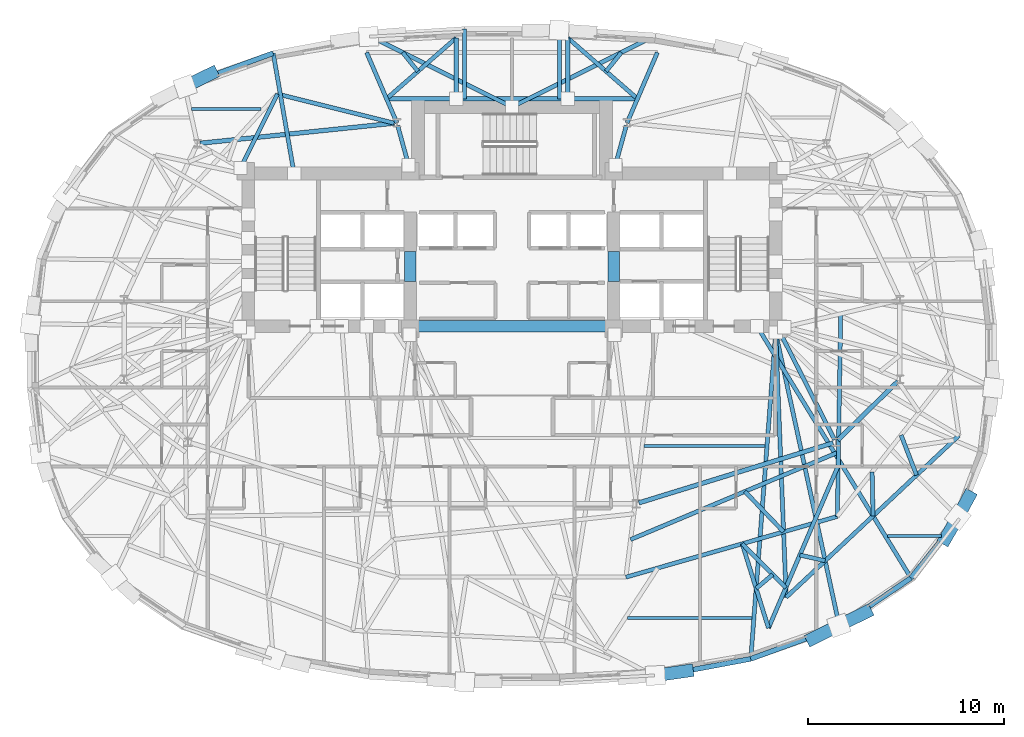
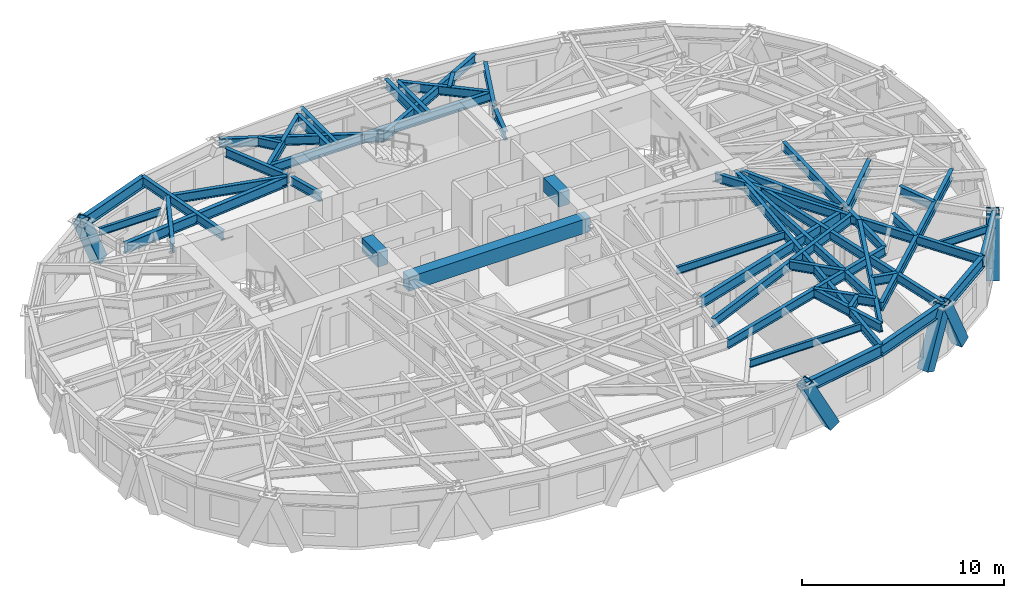
# One storey, part 3 of 15: 50 beams, 6 members.
"""IFC4 building model written with IfcOpenShell, lengths in metres."""

from ifc_helpers import new_model, si_unit, direction, frame, origin, origin_2d, place, context, subcontext, project, spatial, rectangle, hollow_rectangle, i_section, extrude, material, material_profile, profile_set, type_object, element, save


model = new_model("IFC4")

# Units and contexts
model_context = context("Model", 3, precision=1e-05, world=origin(), true_north=direction((0.0, 1.0)))
body_context = subcontext(model_context, "Body", "Model", "MODEL_VIEW")
ifc_project = project(units=[si_unit("LENGTHUNIT", "METRE"), si_unit("AREAUNIT", "SQUARE_METRE"), si_unit("VOLUMEUNIT", "CUBIC_METRE"), si_unit("PLANEANGLEUNIT", "RADIAN"), si_unit("MASSUNIT", "GRAM", prefix="KILO")], contexts=[model_context])

# Site, building, storey
site_placement = place(None, origin())
site = spatial("IfcSite", under=ifc_project, at=site_placement, CompositionType="ELEMENT")
building_placement = place(site_placement, origin())
building = spatial("IfcBuilding", under=site, at=building_placement, Name="Keldmark Tower", CompositionType="ELEMENT")
storey_placement = place(building_placement, frame((0.0, 0.0, 143.800048828125)))
storey = spatial("IfcBuildingStorey", under=building, at=storey_placement, Name="L38", CompositionType="ELEMENT", Elevation=143.800048828125)

# Beams
ifc_material_1 = material(Name="Steel ASTM A992 Grade 50", Category="steel")
ifc_material_profile_1 = material_profile(ifc_material_1, i_section(OverallWidth=0.153076171875, OverallDepth=0.455078125, WebThickness=0.008056640625, FlangeThickness=0.01318359375, at=origin_2d()), Name="W18X40")
ifc_profile_set_1 = profile_set([ifc_material_profile_1], Name="Steel ASTM A992 Grade 50")
beam_type_1 = type_object("IfcBeamType", Name="Composite Floor Joist W18X40", PredefinedType="JOIST", material=ifc_profile_set_1)
beam_1_placement = place(storey_placement, frame((5.9052734375, -13.3798828125, 2.79248046875), z_axis=(1.0, 0.0, 0.0), x_axis=(0.0, 1.0, 0.0)))
element("IfcBeam", 1, at=beam_1_placement, inside=storey, type_object=beam_type_1, Name="L38 Composite Floor Joist J01", PredefinedType="JOIST", context=body_context, shape_type="SweptSolid", body=[
    extrude(i_section(OverallWidth=0.153076171875, OverallDepth=0.455078125, WebThickness=0.008056640625, FlangeThickness=0.01318359375, at=origin_2d()), origin(), (0.0, 0.0, 1.0), 6.3623046875),
])
beam_2_placement = place(storey_placement, frame((19.19482421875, -9.199951171875, 2.79248046875), z_axis=(1.0, 0.0, 0.0), x_axis=(0.0, 1.0, 0.0)))
element("IfcBeam", 2, at=beam_2_placement, inside=storey, type_object=beam_type_1, Name="L38 Composite Floor Joist J03", PredefinedType="JOIST", context=body_context, shape_type="SweptSolid", body=[
    extrude(i_section(OverallWidth=0.153076171875, OverallDepth=0.455078125, WebThickness=0.008056640625, FlangeThickness=0.01318359375, at=origin_2d()), origin(), (0.0, 0.0, 1.0), 2.7470703125),
])
beam_3_placement = place(storey_placement, frame((6.756591796875, -4.60009765625, 2.79248046875), z_axis=(1.0, 0.0, 0.0), x_axis=(0.0, 1.0, 0.0)))
element("IfcBeam", 3, at=beam_3_placement, inside=storey, type_object=beam_type_1, Name="L38 Composite Floor Joist J05", PredefinedType="JOIST", context=body_context, shape_type="SweptSolid", body=[
    extrude(i_section(OverallWidth=0.153076171875, OverallDepth=0.455078125, WebThickness=0.008056640625, FlangeThickness=0.01318359375, at=origin_2d()), origin(), (0.0, 0.0, 1.0), 6.18017578125),
])
beam_4_placement = place(storey_placement, frame((-16.371337890625, 12.6201171875, 2.79248046875), z_axis=(1.0, 0.0, 0.0), x_axis=(0.0, 1.0, 0.0)))
element("IfcBeam", 4, at=beam_4_placement, inside=storey, type_object=beam_type_1, Name="L38 Composite Floor Joist J07", PredefinedType="JOIST", context=body_context, shape_type="SweptSolid", body=[
    extrude(i_section(OverallWidth=0.153076171875, OverallDepth=0.455078125, WebThickness=0.008056640625, FlangeThickness=0.01318359375, at=origin_2d()), origin(), (0.0, 0.0, 1.0), 3.545654296875),
])
ifc_material_2 = material(Name="Concrete C50/60", Category="concrete")
ifc_material_profile_2 = material_profile(ifc_material_2, rectangle(XDim=0.60009765625, YDim=0.85009765625, at=origin_2d()), Name="RCB600X850")
ifc_profile_set_2 = profile_set([ifc_material_profile_2], Name="Concrete C50/60")
beam_type_2 = type_object("IfcBeamType", Name="Core Coupling Beam RCB600X850", PredefinedType="USERDEFINED", material=ifc_profile_set_2)
for number, where, z_axis, x_axis, name in (
    (5, (-5.199951171875, 3.800048828125, 2.594970703125), (0.0, 1.0, 0.0), (-1.0, 0.0, 0.0), "L38 West Core Coupling Beam"),
    (6, (5.199951171875, 3.800048828125, 2.594970703125), (0.0, 1.0, 0.0), (-1.0, 0.0, 0.0), "L38 East Core Coupling Beam"),
):
    element("IfcBeam", number, at=place(storey_placement, frame(where, z_axis=z_axis, x_axis=x_axis)), inside=storey, type_object=beam_type_2, Name=name, ObjectType="COUPLING BEAM", PredefinedType="USERDEFINED", context=body_context, shape_type="SweptSolid", body=[
        extrude(rectangle(XDim=0.60009765625, YDim=0.85009765625, at=origin_2d()), origin(), (0.0, 0.0, 1.0), 1.550048828125),
    ])
beam_5_placement = place(storey_placement, frame((-5.199951171875, 1.52490234375, 2.594970703125), z_axis=(1.0, 0.0, 0.0), x_axis=(0.0, 1.0, 0.0)))
element("IfcBeam", 7, at=beam_5_placement, inside=storey, type_object=beam_type_2, Name="L38 Central South Core Coupling Beam", ObjectType="COUPLING BEAM", PredefinedType="USERDEFINED", context=body_context, shape_type="SweptSolid", body=[
    extrude(rectangle(XDim=0.60009765625, YDim=0.85009765625, at=origin_2d()), origin(), (0.0, 0.0, 1.0), 10.39990234375),
])

# Members
ifc_material_3 = material(Name="Steel ASTM A572 Grade 50", Category="steel")
ifc_material_profile_3 = material_profile(ifc_material_3, hollow_rectangle(XDim=0.64990234375, YDim=0.64990234375, WallThickness=0.0400390625, at=origin_2d()), Name="BOX650X650X40")
ifc_profile_set_3 = profile_set([ifc_material_profile_3], Name="Steel ASTM A572 Grade 50")
member_type = type_object("IfcMemberType", Name="Diagrid Zone 3 Brace BOX650X650X40", PredefinedType="BRACE", material=ifc_profile_set_3)
member_1_placement = place(storey_placement, frame((-15.3388671875, 14.45068359375, -0.260009765625), z_axis=(-0.389713648436, -0.194126502371, 0.900243396699), x_axis=(0.445871165338, -0.895097147756, 0.0)))
element("IfcMember", 8, at=member_1_placement, inside=storey, type_object=member_type, Name="L38 Perimeter Diagrid Brace 06A", PredefinedType="BRACE", context=body_context, shape_type="SweptSolid", body=[
    extrude(hollow_rectangle(XDim=0.64990234375, YDim=0.64990234375, WallThickness=0.0400390625, at=origin_2d()), origin(), (0.0, 0.0, 1.0), 3.510009765625),
])
member_2_placement = place(storey_placement, frame((8.98095703125, -16.0908203125, -0.260009765625), z_axis=(-0.465077364288, -0.06670269281, 0.88275353072), x_axis=(0.141970053123, -0.989870953214, 0.0)))
element("IfcMember", 9, at=member_2_placement, inside=storey, type_object=member_type, Name="L38 Perimeter Diagrid Brace 13B", PredefinedType="BRACE", context=body_context, shape_type="SweptSolid", body=[
    extrude(hollow_rectangle(XDim=0.64990234375, YDim=0.64990234375, WallThickness=0.0400390625, at=origin_2d()), origin(), (0.0, 0.0, 1.0), 3.57958984375),
])
member_3_placement = place(storey_placement, frame((15.3388671875, -14.45068359375, -0.260009765625), z_axis=(0.389713648436, 0.194126502371, 0.900243396699), x_axis=(-0.445871165338, 0.895097147756, 0.0)))
element("IfcMember", 10, at=member_3_placement, inside=storey, type_object=member_type, Name="L38 Perimeter Diagrid Brace 14A", PredefinedType="BRACE", context=body_context, shape_type="SweptSolid", body=[
    extrude(hollow_rectangle(XDim=0.64990234375, YDim=0.64990234375, WallThickness=0.0400390625, at=origin_2d()), origin(), (0.0, 0.0, 1.0), 3.510009765625),
])
member_4_placement = place(storey_placement, frame((18.099365234375, -13.082275390625, -0.260009765625), z_axis=(-0.397714829394, -0.196710973243, 0.896173927028), x_axis=(0.443339357782, -0.896353844105, 0.0)))
element("IfcMember", 11, at=member_4_placement, inside=storey, type_object=member_type, Name="L38 Perimeter Diagrid Brace 14B", PredefinedType="BRACE", context=body_context, shape_type="SweptSolid", body=[
    extrude(hollow_rectangle(XDim=0.64990234375, YDim=0.64990234375, WallThickness=0.0400390625, at=origin_2d()), origin(), (0.0, 0.0, 1.0), 3.526123046875),
])
member_5_placement = place(storey_placement, frame((22.148193359375, -9.3349609375, -0.260009765625), z_axis=(0.187278830371, 0.323097193767, 0.927650172788), x_axis=(-0.865167757544, 0.501482553341, 0.0)))
element("IfcMember", 12, at=member_5_placement, inside=storey, type_object=member_type, Name="L38 Perimeter Diagrid Brace 15A", PredefinedType="BRACE", context=body_context, shape_type="SweptSolid", body=[
    extrude(hollow_rectangle(XDim=0.64990234375, YDim=0.64990234375, WallThickness=0.0400390625, at=origin_2d()), origin(), (0.0, 0.0, 1.0), 3.40625),
])
member_6_placement = place(storey_placement, frame((23.3544921875, -7.186279296875, -0.260009765625), z_axis=(-0.170027386874, -0.312835952154, 0.934464742381), x_axis=(0.878615262191, -0.477530335209, 0.0)))
element("IfcMember", 13, at=member_6_placement, inside=storey, type_object=member_type, Name="L38 Perimeter Diagrid Brace 15B", PredefinedType="BRACE", context=body_context, shape_type="SweptSolid", body=[
    extrude(hollow_rectangle(XDim=0.64990234375, YDim=0.64990234375, WallThickness=0.0400390625, at=origin_2d()), origin(), (0.0, 0.0, 1.0), 3.381591796875),
])

# Beams
ifc_material_4 = material(Name="Steel ASTM A992 Grade 50", Category="steel")
ifc_material_profile_4 = material_profile(ifc_material_4, i_section(OverallWidth=0.22900390625, OverallDepth=0.612060546875, WebThickness=0.011962890625, FlangeThickness=0.01953125, at=origin_2d()), Name="W24X84")
ifc_profile_set_4 = profile_set([ifc_material_profile_4], Name="Steel ASTM A992 Grade 50")
beam_type_3 = type_object("IfcBeamType", Name="Primary Floor Girder W24X84", PredefinedType="BEAM", material=ifc_profile_set_4)
beam_6_placement = place(storey_placement, frame((-6.01953125, 11.90087890625, 2.7138671875), z_axis=(-0.994702930931, -0.102791435423, 0.0), x_axis=(0.102791435423, -0.994702930931, 0.0)))
element("IfcBeam", 14, at=beam_6_placement, inside=storey, type_object=beam_type_3, Name="L38 Floor Ring Girder FG-R04", PredefinedType="BEAM", context=body_context, shape_type="SweptSolid", body=[
    extrude(i_section(OverallWidth=0.22900390625, OverallDepth=0.612060546875, WebThickness=0.011962890625, FlangeThickness=0.01953125, at=origin_2d()), origin(), (0.0, 0.0, 1.0), 9.975341796875),
])
beam_7_placement = place(storey_placement, frame((6.485107421875, -7.5048828125, 2.7138671875), z_axis=(0.955494563145, 0.295008711398, 0.0), x_axis=(-0.295008711398, 0.955494563145, 0.0)))
element("IfcBeam", 15, at=beam_7_placement, inside=storey, type_object=beam_type_3, Name="L38 Floor Ring Girder FG-R10", PredefinedType="BEAM", context=body_context, shape_type="SweptSolid", body=[
    extrude(i_section(OverallWidth=0.22900390625, OverallDepth=0.612060546875, WebThickness=0.011962890625, FlangeThickness=0.01953125, at=origin_2d()), origin(), (0.0, 0.0, 1.0), 10.39013671875),
])
beam_8_placement = place(storey_placement, frame((16.646728515625, -4.300537109375, 2.7138671875), z_axis=(0.714964509815, 0.699160746684, 0.0), x_axis=(-0.699160746684, 0.714964509815, 0.0)))
element("IfcBeam", 16, at=beam_8_placement, inside=storey, type_object=beam_type_3, Name="L38 Floor Ring Girder FG-R11", PredefinedType="BEAM", context=body_context, shape_type="SweptSolid", body=[
    extrude(i_section(OverallWidth=0.22900390625, OverallDepth=0.612060546875, WebThickness=0.011962890625, FlangeThickness=0.01953125, at=origin_2d()), origin(), (0.0, 0.0, 1.0), 4.31005859375),
])
ifc_material_5 = material(Name="Steel ASTM A992 Grade 50", Category="steel")
ifc_material_profile_5 = material_profile(ifc_material_5, i_section(OverallWidth=0.2099609375, OverallDepth=0.537109375, WebThickness=0.010986328125, FlangeThickness=0.017333984375, at=origin_2d()), Name="W21X68")
ifc_profile_set_5 = profile_set([ifc_material_profile_5], Name="Steel ASTM A992 Grade 50")
beam_type_4 = type_object("IfcBeamType", Name="Radial Tie Girder W21X68", PredefinedType="BEAM", material=ifc_profile_set_5)
for number, where, z_axis, x_axis, name in (
    (17, (5.843017578125, 11.7802734375, 2.75146484375), (-0.265992411, -0.963975122755, 0.0), (0.963975122755, -0.265992411, 0.0), "L38 Floor Radial Girder FG-C03"),
    (18, (-5.843017578125, 11.7802734375, 2.75146484375), (0.265992411, -0.963975122755, 0.0), (0.963975122755, 0.265992411, 0.0), "L38 Floor Radial Girder FG-C04"),
):
    element("IfcBeam", number, at=place(storey_placement, frame(where, z_axis=z_axis, x_axis=x_axis)), inside=storey, type_object=beam_type_4, Name=name, PredefinedType="BEAM", context=body_context, shape_type="SweptSolid", body=[
        extrude(i_section(OverallWidth=0.2099609375, OverallDepth=0.537109375, WebThickness=0.010986328125, FlangeThickness=0.017333984375, at=origin_2d()), origin(), (0.0, 0.0, 1.0), 2.09716796875),
    ])
beam_9_placement = place(storey_placement, frame((16.4833984375, -4.273681640625, 2.75146484375), z_axis=(-0.453036691775, 0.891491870914, 0.0), x_axis=(-0.891491870914, -0.453036691775, 0.0)))
element("IfcBeam", 19, at=beam_9_placement, inside=storey, type_object=beam_type_4, Name="L38 Floor Radial Girder FG-C11", PredefinedType="BEAM", context=body_context, shape_type="SweptSolid", body=[
    extrude(i_section(OverallWidth=0.2099609375, OverallDepth=0.537109375, WebThickness=0.010986328125, FlangeThickness=0.017333984375, at=origin_2d()), origin(), (0.0, 0.0, 1.0), 6.044189453125),
])
beam_10_placement = place(storey_placement, frame((6.06298828125, -9.378662109375, 2.75146484375), z_axis=(0.921792857815, 0.387682766293, 0.0), x_axis=(-0.387682766293, 0.921792857815, 0.0)))
element("IfcBeam", 20, at=beam_10_placement, inside=storey, type_object=beam_type_4, Name="L38 Framing Pin Header PH-007", PredefinedType="BEAM", context=body_context, shape_type="SweptSolid", body=[
    extrude(i_section(OverallWidth=0.2099609375, OverallDepth=0.537109375, WebThickness=0.010986328125, FlangeThickness=0.017333984375, at=origin_2d()), origin(), (0.0, 0.0, 1.0), 11.521240234375),
])
beam_11_placement = place(storey_placement, frame((16.8017578125, 2.1552734375, 2.75146484375), z_axis=(-0.016811678679, -0.999858673743, 0.0), x_axis=(0.999858673743, -0.016811678679, 0.0)))
element("IfcBeam", 21, at=beam_11_placement, inside=storey, type_object=beam_type_4, Name="L38 Sub-Ring Step Girder STP1-M11", PredefinedType="BEAM", context=body_context, shape_type="SweptSolid", body=[
    extrude(i_section(OverallWidth=0.2099609375, OverallDepth=0.537109375, WebThickness=0.010986328125, FlangeThickness=0.017333984375, at=origin_2d()), origin(), (0.0, 0.0, 1.0), 10.354248046875),
])
beam_12_placement = place(storey_placement, frame((5.82275390625, -11.302734375, 2.75146484375), z_axis=(0.961097484025, 0.27620938833, 0.0), x_axis=(-0.27620938833, 0.961097484025, 0.0)))
element("IfcBeam", 22, at=beam_12_placement, inside=storey, type_object=beam_type_4, Name="L38 Perimeter Collector Ring Beam CRG1-M10", PredefinedType="BEAM", context=body_context, shape_type="SweptSolid", body=[
    extrude(i_section(OverallWidth=0.2099609375, OverallDepth=0.537109375, WebThickness=0.010986328125, FlangeThickness=0.017333984375, at=origin_2d()), origin(), (0.0, 0.0, 1.0), 11.2421875),
])
beam_13_placement = place(storey_placement, frame((11.904052734375, -6.922119140625, 2.75146484375), z_axis=(0.691523147211, -0.722354301483, 0.0), x_axis=(0.722354301483, 0.691523147211, 0.0)))
element("IfcBeam", 23, at=beam_13_placement, inside=storey, type_object=beam_type_4, Name="L38 Framing Pin Header PH-013", PredefinedType="BEAM", context=body_context, shape_type="SweptSolid", body=[
    extrude(i_section(OverallWidth=0.2099609375, OverallDepth=0.537109375, WebThickness=0.010986328125, FlangeThickness=0.017333984375, at=origin_2d()), origin(), (0.0, 0.0, 1.0), 2.858642578125),
])
beam_14_placement = place(storey_placement, frame((13.47509765625, 1.199951171875, 2.75146484375), z_axis=(0.03979234544, -0.999207970967, 0.0), x_axis=(0.999207970967, 0.03979234544, 0.0)))
element("IfcBeam", 24, at=beam_14_placement, inside=storey, type_object=beam_type_4, Name="L38 Sub-Ring Step Girder STP2-M11", PredefinedType="BEAM", context=body_context, shape_type="SweptSolid", body=[
    extrude(i_section(OverallWidth=0.2099609375, OverallDepth=0.537109375, WebThickness=0.010986328125, FlangeThickness=0.017333984375, at=origin_2d()), origin(), (0.0, 0.0, 1.0), 13.540771484375),
])
beam_15_placement = place(storey_placement, frame((14.013916015625, -12.330078125, 2.75146484375), z_axis=(0.729830462456, 0.683628185545, 0.0), x_axis=(-0.683628185545, 0.729830462456, 0.0)))
element("IfcBeam", 25, at=beam_15_placement, inside=storey, type_object=beam_type_4, Name="L38 Perimeter Collector Ring Beam CRG2-M11", PredefinedType="BEAM", context=body_context, shape_type="SweptSolid", body=[
    extrude(i_section(OverallWidth=0.2099609375, OverallDepth=0.537109375, WebThickness=0.010986328125, FlangeThickness=0.017333984375, at=origin_2d()), origin(), (0.0, 0.0, 1.0), 12.095458984375),
])
beam_16_placement = place(storey_placement, frame((-13.878173828125, 9.608154296875, 2.75146484375), z_axis=(0.446797867575, 0.894634934222, 0.0), x_axis=(-0.894634934222, 0.446797867575, 0.0)))
element("IfcBeam", 26, at=beam_16_placement, inside=storey, type_object=beam_type_4, Name="L38 Local Collector Chord RT-11C", PredefinedType="BEAM", context=body_context, shape_type="SweptSolid", body=[
    extrude(i_section(OverallWidth=0.2099609375, OverallDepth=0.537109375, WebThickness=0.010986328125, FlangeThickness=0.017333984375, at=origin_2d()), origin(), (0.0, 0.0, 1.0), 4.228759765625),
])
beam_17_placement = place(storey_placement, frame((11.765380859375, -9.594970703125, 2.75146484375), z_axis=(0.704285575994, -0.709916775014, 0.0), x_axis=(0.709916775014, 0.704285575994, 0.0)))
element("IfcBeam", 27, at=beam_17_placement, inside=storey, type_object=beam_type_4, Name="L38 Framing Pin Header PH-034", PredefinedType="BEAM", context=body_context, shape_type="SweptSolid", body=[
    extrude(i_section(OverallWidth=0.2099609375, OverallDepth=0.537109375, WebThickness=0.010986328125, FlangeThickness=0.017333984375, at=origin_2d()), origin(), (0.0, 0.0, 1.0), 3.164794921875),
])
beam_18_placement = place(storey_placement, frame((16.67138671875, -5.609375, 2.75146484375), z_axis=(-0.394640582013, -0.918835573445, 0.0), x_axis=(0.918835573445, -0.394640582013, 0.0)))
element("IfcBeam", 28, at=beam_18_placement, inside=storey, type_object=beam_type_4, Name="L38 Intermediate Radial Step Girder RT-27M", PredefinedType="BEAM", context=body_context, shape_type="SweptSolid", body=[
    extrude(i_section(OverallWidth=0.2099609375, OverallDepth=0.537109375, WebThickness=0.010986328125, FlangeThickness=0.017333984375, at=origin_2d()), origin(), (0.0, 0.0, 1.0), 9.026611328125),
])
beam_19_placement = place(storey_placement, frame((11.765380859375, -9.594970703125, 2.75146484375), z_axis=(0.297748226843, -0.954644432976, 0.0), x_axis=(0.954644432976, 0.297748226843, 0.0)))
element("IfcBeam", 29, at=beam_19_placement, inside=storey, type_object=beam_type_4, Name="L38 Local Collector Chord RT-27C", PredefinedType="BEAM", context=body_context, shape_type="SweptSolid", body=[
    extrude(i_section(OverallWidth=0.2099609375, OverallDepth=0.537109375, WebThickness=0.010986328125, FlangeThickness=0.017333984375, at=origin_2d()), origin(), (0.0, 0.0, 1.0), 4.512939453125),
])
beam_20_placement = place(storey_placement, frame((13.32568359375, -11.167724609375, 2.75146484375), z_axis=(-0.765339869111, -0.643626354922, 0.0), x_axis=(0.643626354922, -0.765339869111, 0.0)))
element("IfcBeam", 30, at=beam_20_placement, inside=storey, type_object=beam_type_4, Name="L38 Framing Pin Header PH-035", PredefinedType="BEAM", context=body_context, shape_type="SweptSolid", body=[
    extrude(i_section(OverallWidth=0.2099609375, OverallDepth=0.537109375, WebThickness=0.010986328125, FlangeThickness=0.017333984375, at=origin_2d()), origin(), (0.0, 0.0, 1.0), 1.107177734375),
])
beam_21_placement = place(storey_placement, frame((13.47509765625, 1.199951171875, 2.75146484375), z_axis=(-0.075994342359, -0.997108248852, 0.0), x_axis=(0.997108248852, -0.075994342359, 0.0)))
element("IfcBeam", 31, at=beam_21_placement, inside=storey, type_object=beam_type_4, Name="L38 Perimeter Radial Tie Girder RT-27", PredefinedType="BEAM", context=body_context, shape_type="SweptSolid", body=[
    extrude(i_section(OverallWidth=0.2099609375, OverallDepth=0.537109375, WebThickness=0.010986328125, FlangeThickness=0.017333984375, at=origin_2d()), origin(), (0.0, 0.0, 1.0), 16.724853515625),
])
beam_22_placement = place(storey_placement, frame((14.712158203125, -10.1708984375, 2.75146484375), z_axis=(0.975322270171, -0.220786026072, 0.0), x_axis=(0.220786026072, 0.975322270171, 0.0)))
element("IfcBeam", 32, at=beam_22_placement, inside=storey, type_object=beam_type_4, Name="L38 Framing Pin Header PH-036", PredefinedType="BEAM", context=body_context, shape_type="SweptSolid", body=[
    extrude(i_section(OverallWidth=0.2099609375, OverallDepth=0.537109375, WebThickness=0.010986328125, FlangeThickness=0.017333984375, at=origin_2d()), origin(), (0.0, 0.0, 1.0), 1.326904296875),
])
beam_23_placement = place(storey_placement, frame((13.47509765625, 1.199951171875, 2.75146484375), z_axis=(0.212076206502, -0.9772531313, 0.0), x_axis=(0.9772531313, 0.212076206502, 0.0)))
element("IfcBeam", 33, at=beam_23_placement, inside=storey, type_object=beam_type_4, Name="L38 Perimeter Radial Tie Girder RT-28", PredefinedType="BEAM", context=body_context, shape_type="SweptSolid", body=[
    extrude(i_section(OverallWidth=0.2099609375, OverallDepth=0.537109375, WebThickness=0.010986328125, FlangeThickness=0.017333984375, at=origin_2d()), origin(), (0.0, 0.0, 1.0), 15.371826171875),
])
beam_24_placement = place(storey_placement, frame((18.405517578125, -5.93115234375, 2.75146484375), z_axis=(0.021239351978, -0.999774419521, 0.0), x_axis=(0.999774419521, 0.021239351978, 0.0)))
element("IfcBeam", 34, at=beam_24_placement, inside=storey, type_object=beam_type_4, Name="L38 Framing Pin Header PH-037", PredefinedType="BEAM", context=body_context, shape_type="SweptSolid", body=[
    extrude(i_section(OverallWidth=0.2099609375, OverallDepth=0.537109375, WebThickness=0.010986328125, FlangeThickness=0.017333984375, at=origin_2d()), origin(), (0.0, 0.0, 1.0), 2.241455078125),
])
beam_25_placement = place(storey_placement, frame((12.52490234375, 1.52490234375, 2.75146484375), z_axis=(0.521590773905, -0.853195794983, 0.0), x_axis=(0.853195794983, 0.521590773905, 0.0)))
element("IfcBeam", 35, at=beam_25_placement, inside=storey, type_object=beam_type_4, Name="L38 Perimeter Radial Tie Girder RT-29", PredefinedType="BEAM", context=body_context, shape_type="SweptSolid", body=[
    extrude(i_section(OverallWidth=0.2099609375, OverallDepth=0.537109375, WebThickness=0.010986328125, FlangeThickness=0.017333984375, at=origin_2d()), origin(), (0.0, 0.0, 1.0), 15.08251953125),
])
beam_26_placement = place(storey_placement, frame((19.88720703125, -4.042724609375, 2.75146484375), z_axis=(0.359694912332, -0.933069970604, 0.0), x_axis=(0.933069970604, 0.359694912332, 0.0)))
element("IfcBeam", 36, at=beam_26_placement, inside=storey, type_object=beam_type_4, Name="L38 Framing Pin Header PH-038", PredefinedType="BEAM", context=body_context, shape_type="SweptSolid", body=[
    extrude(i_section(OverallWidth=0.2099609375, OverallDepth=0.537109375, WebThickness=0.010986328125, FlangeThickness=0.017333984375, at=origin_2d()), origin(), (0.0, 0.0, 1.0), 2.193603515625),
])
for number, where, z_axis, x_axis, name in (
    (37, (-5.880126953125, 11.915283203125, 2.75146484375), (-0.395414566393, 0.918502760303, 0.0), (-0.918502760303, -0.395414566393, 0.0), "L38 North Column Cantilever Girder West FG-TCN-W"),
    (38, (5.880126953125, 11.915283203125, 2.75146484375), (0.395414566393, 0.918502760303, 0.0), (-0.918502760303, 0.395414566393, 0.0), "L38 North Column Cantilever Girder East FG-TCN-E"),
):
    element("IfcBeam", number, at=place(storey_placement, frame(where, z_axis=z_axis, x_axis=x_axis)), inside=storey, type_object=beam_type_4, Name=name, PredefinedType="BEAM", context=body_context, shape_type="SweptSolid", body=[
        extrude(i_section(OverallWidth=0.2099609375, OverallDepth=0.537109375, WebThickness=0.010986328125, FlangeThickness=0.017333984375, at=origin_2d()), origin(), (0.0, 0.0, 1.0), 3.920166015625),
    ])
beam_27_placement = place(storey_placement, frame((-6.41162109375, 13.14990234375, 2.75146484375), z_axis=(1.0, 0.0, 0.0), x_axis=(0.0, 1.0, 0.0)))
element("IfcBeam", 39, at=beam_27_placement, inside=storey, type_object=beam_type_4, Name="L38 North Inner Header Girder FG-TCN-H0", PredefinedType="BEAM", context=body_context, shape_type="SweptSolid", body=[
    extrude(i_section(OverallWidth=0.2099609375, OverallDepth=0.537109375, WebThickness=0.010986328125, FlangeThickness=0.017333984375, at=origin_2d()), origin(), (0.0, 0.0, 1.0), 12.8232421875),
])
for number, where, z_axis, x_axis, name in (
    (40, (-2.85009765625, 13.14990234375, 2.75146484375), (0.0, 1.0, 0.0), (-1.0, 0.0, 0.0), "L38 North Step Cantilever Girder West FG-TCN-W2"),
    (41, (2.85009765625, 13.14990234375, 2.75146484375), (0.0, 1.0, 0.0), (-1.0, 0.0, 0.0), "L38 North Step Cantilever Girder East FG-TCN-E2"),
):
    element("IfcBeam", number, at=place(storey_placement, frame(where, z_axis=z_axis, x_axis=x_axis)), inside=storey, type_object=beam_type_4, Name=name, PredefinedType="BEAM", context=body_context, shape_type="SweptSolid", body=[
        extrude(i_section(OverallWidth=0.2099609375, OverallDepth=0.537109375, WebThickness=0.010986328125, FlangeThickness=0.017333984375, at=origin_2d()), origin(), (0.0, 0.0, 1.0), 3.111083984375),
    ])
for number, where, z_axis, x_axis, name in (
    (42, (2.42822265625, 13.14990234375, 2.75146484375), (0.0, 1.0, 0.0), (-1.0, 0.0, 0.0), "L38 North Continuous Radial Girder RT-08N"),
    (43, (-2.42822265625, 13.14990234375, 2.75146484375), (0.0, 1.0, 0.0), (-1.0, 0.0, 0.0), "L38 North Continuous Radial Girder RT-09N"),
):
    element("IfcBeam", number, at=place(storey_placement, frame(where, z_axis=z_axis, x_axis=x_axis)), inside=storey, type_object=beam_type_4, Name=name, PredefinedType="BEAM", context=body_context, shape_type="SweptSolid", body=[
        extrude(i_section(OverallWidth=0.2099609375, OverallDepth=0.537109375, WebThickness=0.010986328125, FlangeThickness=0.017333984375, at=origin_2d()), origin(), (0.0, 0.0, 1.0), 3.561279296875),
    ])
beam_28_placement = place(storey_placement, frame((6.41162109375, 13.14990234375, 2.75146484375), z_axis=(-0.753126505002, 0.657875723419, 0.0), x_axis=(-0.657875723419, -0.753126505002, 0.0)))
element("IfcBeam", 44, at=beam_28_placement, inside=storey, type_object=beam_type_4, Name="L38 Straddling Support Chord RT-07RB", PredefinedType="BEAM", context=body_context, shape_type="SweptSolid", body=[
    extrude(i_section(OverallWidth=0.2099609375, OverallDepth=0.537109375, WebThickness=0.010986328125, FlangeThickness=0.017333984375, at=origin_2d()), origin(), (0.0, 0.0, 1.0), 4.72900390625),
])
beam_29_placement = place(storey_placement, frame((4.808837890625, 14.550048828125, 2.75146484375), z_axis=(0.628309642032, 0.777963362717, 0.0), x_axis=(-0.777963362717, 0.628309642032, 0.0)))
element("IfcBeam", 45, at=beam_29_placement, inside=storey, type_object=beam_type_4, Name="L38 Framing Pin Header PH-040", PredefinedType="BEAM", context=body_context, shape_type="SweptSolid", body=[
    extrude(i_section(OverallWidth=0.2099609375, OverallDepth=0.537109375, WebThickness=0.010986328125, FlangeThickness=0.017333984375, at=origin_2d()), origin(), (0.0, 0.0, 1.0), 1.241455078125),
])
beam_30_placement = place(storey_placement, frame((0.0, 12.72509765625, 2.75146484375), z_axis=(0.894665339655, 0.446736980807, 0.0), x_axis=(-0.446736980807, 0.894665339655, 0.0)))
element("IfcBeam", 46, at=beam_30_placement, inside=storey, type_object=beam_type_4, Name="L38 Perimeter Radial Tie Girder RT-07R", PredefinedType="BEAM", context=body_context, shape_type="SweptSolid", body=[
    extrude(i_section(OverallWidth=0.2099609375, OverallDepth=0.537109375, WebThickness=0.010986328125, FlangeThickness=0.017333984375, at=origin_2d()), origin(), (0.0, 0.0, 1.0), 8.197021484375),
])
beam_31_placement = place(storey_placement, frame((-2.85009765625, 16.260986328125, 2.75146484375), z_axis=(-0.753126505002, -0.657875723419, 0.0), x_axis=(0.657875723419, -0.753126505002, 0.0)))
element("IfcBeam", 47, at=beam_31_placement, inside=storey, type_object=beam_type_4, Name="L38 Straddling Support Chord RT-10RB", PredefinedType="BEAM", context=body_context, shape_type="SweptSolid", body=[
    extrude(i_section(OverallWidth=0.2099609375, OverallDepth=0.537109375, WebThickness=0.010986328125, FlangeThickness=0.017333984375, at=origin_2d()), origin(), (0.0, 0.0, 1.0), 4.72900390625),
])
beam_32_placement = place(storey_placement, frame((-4.808837890625, 14.550048828125, 2.75146484375), z_axis=(-0.628309642032, 0.777963362717, 0.0), x_axis=(-0.777963362717, -0.628309642032, 0.0)))
element("IfcBeam", 48, at=beam_32_placement, inside=storey, type_object=beam_type_4, Name="L38 Framing Pin Header PH-041", PredefinedType="BEAM", context=body_context, shape_type="SweptSolid", body=[
    extrude(i_section(OverallWidth=0.2099609375, OverallDepth=0.537109375, WebThickness=0.010986328125, FlangeThickness=0.017333984375, at=origin_2d()), origin(), (0.0, 0.0, 1.0), 1.241455078125),
])
beam_33_placement = place(storey_placement, frame((0.0, 12.72509765625, 2.75146484375), z_axis=(-0.894665339655, 0.446736980807, 0.0), x_axis=(-0.446736980807, -0.894665339655, 0.0)))
element("IfcBeam", 49, at=beam_33_placement, inside=storey, type_object=beam_type_4, Name="L38 Perimeter Radial Tie Girder RT-10R", PredefinedType="BEAM", context=body_context, shape_type="SweptSolid", body=[
    extrude(i_section(OverallWidth=0.2099609375, OverallDepth=0.537109375, WebThickness=0.010986328125, FlangeThickness=0.017333984375, at=origin_2d()), origin(), (0.0, 0.0, 1.0), 8.197021484375),
])
beam_34_placement = place(storey_placement, frame((-6.01953125, 11.90087890625, 2.75146484375), z_axis=(-0.970212485872, 0.242255510276, 0.0), x_axis=(-0.242255510276, -0.970212485872, 0.0)))
element("IfcBeam", 50, at=beam_34_placement, inside=storey, type_object=beam_type_4, Name="L38 Straddling Support Chord RT-11RB", PredefinedType="BEAM", context=body_context, shape_type="SweptSolid", body=[
    extrude(i_section(OverallWidth=0.2099609375, OverallDepth=0.537109375, WebThickness=0.010986328125, FlangeThickness=0.017333984375, at=origin_2d()), origin(), (0.0, 0.0, 1.0), 6.152587890625),
])
beam_35_placement = place(storey_placement, frame((-11.1357421875, 9.324951171875, 2.75146484375), z_axis=(-0.171110145659, 0.985251905886, 0.0), x_axis=(-0.985251905886, -0.171110145659, 0.0)))
element("IfcBeam", 51, at=beam_35_placement, inside=storey, type_object=beam_type_4, Name="L38 Perimeter Radial Tie Girder RT-11R", PredefinedType="BEAM", context=body_context, shape_type="SweptSolid", body=[
    extrude(i_section(OverallWidth=0.2099609375, OverallDepth=0.537109375, WebThickness=0.010986328125, FlangeThickness=0.017333984375, at=origin_2d()), origin(), (0.0, 0.0, 1.0), 6.24365234375),
])
ifc_material_6 = material(Name="Steel ASTM A992 Grade 50", Category="steel")
ifc_material_profile_6 = material_profile(ifc_material_6, i_section(OverallWidth=0.256103515625, OverallDepth=0.693115234375, WebThickness=0.014404296875, FlangeThickness=0.023681640625, at=origin_2d()), Name="W27X114")
ifc_profile_set_6 = profile_set([ifc_material_profile_6], Name="Steel ASTM A992 Grade 50")
beam_type_5 = type_object("IfcBeamType", Name="Spandrel Ring Beam W27X114", PredefinedType="SPANDREL", material=ifc_profile_set_6)
beam_36_placement = place(storey_placement, frame((-12.2041015625, 15.4765625, 2.67333984375), z_axis=(-0.939349296455, -0.342961950147, 0.0), x_axis=(0.342961950147, -0.939349296455, 0.0)))
element("IfcBeam", 52, at=beam_36_placement, inside=storey, type_object=beam_type_5, Name="L38 Perimeter Spandrel Ring Beam SRB-11", PredefinedType="SPANDREL", context=body_context, shape_type="SweptSolid", body=[
    extrude(i_section(OverallWidth=0.256103515625, OverallDepth=0.693115234375, WebThickness=0.014404296875, FlangeThickness=0.023681640625, at=origin_2d()), origin(), (0.0, 0.0, 1.0), 4.823486328125),
])
beam_37_placement = place(storey_placement, frame((7.33349609375, -16.386962890625, 2.67333984375), z_axis=(0.98297578121, 0.183735172338, 0.0), x_axis=(-0.183735172338, 0.98297578121, 0.0)))
element("IfcBeam", 53, at=beam_37_placement, inside=storey, type_object=beam_type_5, Name="L38 Perimeter Spandrel Ring Beam SRB-26", PredefinedType="SPANDREL", context=body_context, shape_type="SweptSolid", body=[
    extrude(i_section(OverallWidth=0.256103515625, OverallDepth=0.693115234375, WebThickness=0.014404296875, FlangeThickness=0.023681640625, at=origin_2d()), origin(), (0.0, 0.0, 1.0), 4.955078125),
])
beam_38_placement = place(storey_placement, frame((12.2041015625, -15.4765625, 2.67333984375), z_axis=(0.939349296455, 0.342961950147, 0.0), x_axis=(-0.342961950147, 0.939349296455, 0.0)))
element("IfcBeam", 54, at=beam_38_placement, inside=storey, type_object=beam_type_5, Name="L38 Perimeter Spandrel Ring Beam SRB-27", PredefinedType="SPANDREL", context=body_context, shape_type="SweptSolid", body=[
    extrude(i_section(OverallWidth=0.256103515625, OverallDepth=0.693115234375, WebThickness=0.014404296875, FlangeThickness=0.023681640625, at=origin_2d()), origin(), (0.0, 0.0, 1.0), 4.823486328125),
])
beam_39_placement = place(storey_placement, frame((16.735107421875, -13.822265625, 2.67333984375), z_axis=(0.827748957235, 0.561098622166, 0.0), x_axis=(-0.561098622166, 0.827748957235, 0.0)))
element("IfcBeam", 55, at=beam_39_placement, inside=storey, type_object=beam_type_5, Name="L38 Perimeter Spandrel Ring Beam SRB-28", PredefinedType="SPANDREL", context=body_context, shape_type="SweptSolid", body=[
    extrude(i_section(OverallWidth=0.256103515625, OverallDepth=0.693115234375, WebThickness=0.014404296875, FlangeThickness=0.023681640625, at=origin_2d()), origin(), (0.0, 0.0, 1.0), 4.417724609375),
])
beam_40_placement = place(storey_placement, frame((20.391845703125, -11.343505859375, 2.67333984375), z_axis=(0.622179579914, 0.78287455594, 0.0), x_axis=(-0.78287455594, 0.622179579914, 0.0)))
element("IfcBeam", 56, at=beam_40_placement, inside=storey, type_object=beam_type_5, Name="L38 Perimeter Spandrel Ring Beam SRB-29", PredefinedType="SPANDREL", context=body_context, shape_type="SweptSolid", body=[
    extrude(i_section(OverallWidth=0.256103515625, OverallDepth=0.693115234375, WebThickness=0.014404296875, FlangeThickness=0.023681640625, at=origin_2d()), origin(), (0.0, 0.0, 1.0), 3.9228515625),
])

save(model, "model.ifc")
